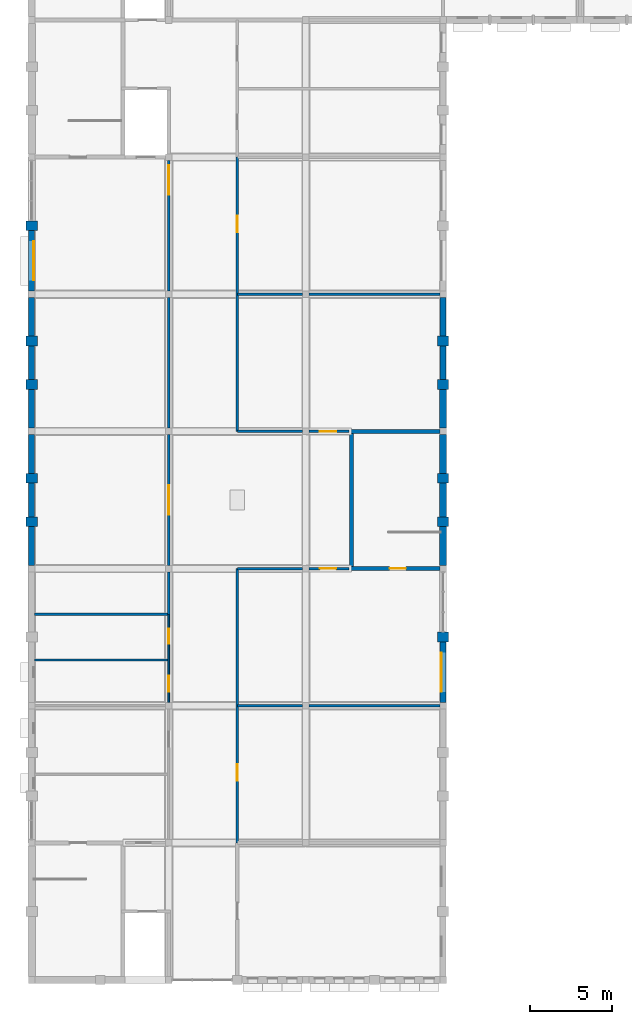
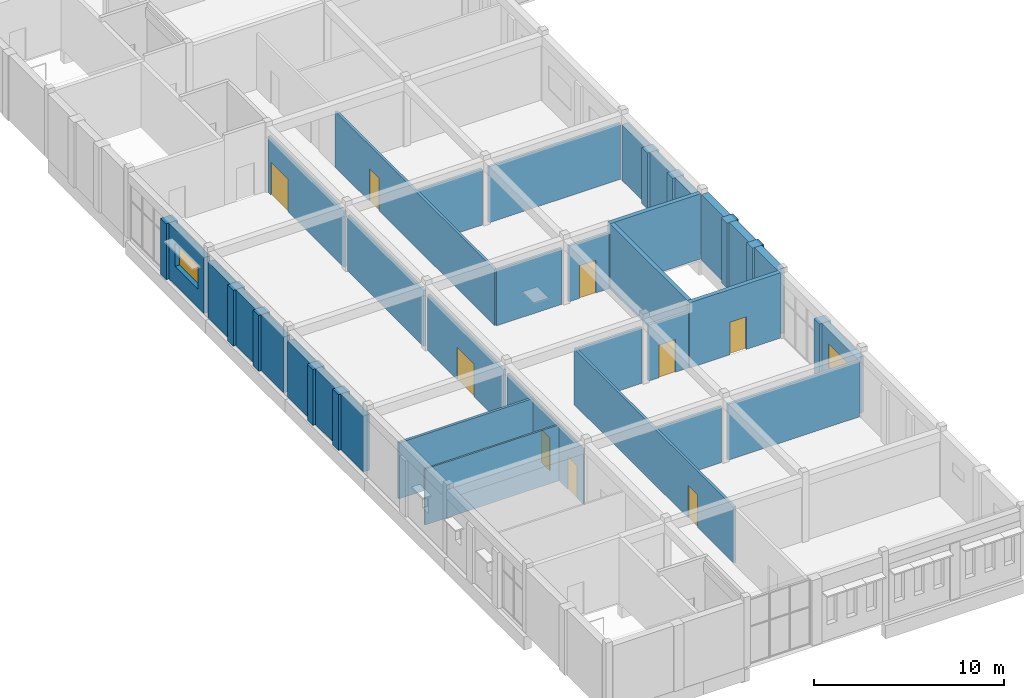
# One storey, part 11 of 15: 44 walls, 9 doors, 2 windows, 11 openings.
"""IFC4 building model written with IfcOpenShell, lengths in metres."""

from ifc_helpers import new_model, si_unit, direction, frame, frame_2d, origin, place, context, subcontext, project, spatial, rectangle, extrude, material, layer, layer_set, type_object, element, fill, save


model = new_model("IFC4")

# Units and contexts
model_context = context("Model", 3, precision=1e-05, world=origin(), true_north=direction((0.0, 1.0)))
body_context = subcontext(model_context, "Body", "Model", "MODEL_VIEW")
ifc_project = project(units=[si_unit("LENGTHUNIT", "METRE"), si_unit("AREAUNIT", "SQUARE_METRE"), si_unit("VOLUMEUNIT", "CUBIC_METRE"), si_unit("PLANEANGLEUNIT", "RADIAN"), si_unit("MASSUNIT", "GRAM", prefix="KILO")], contexts=[model_context])

# Site, building, storey
site_placement = place(None, origin())
site = spatial("IfcSite", under=ifc_project, at=site_placement, CompositionType="ELEMENT")
building_placement = place(site_placement, origin())
building = spatial("IfcBuilding", under=site, at=building_placement, Name="Fescue Hill Polytechnic", CompositionType="ELEMENT")
storey_placement = place(building_placement, frame((0.0, 0.0, 31.5)))
storey = spatial("IfcBuildingStorey", under=building, at=storey_placement, Name="L07", CompositionType="ELEMENT", Elevation=31.5)

# Wall, opening, door
ifc_material_1 = material(Name="Concrete 40 MPa", Category="concrete")
ifc_layer_1 = layer(ifc_material_1, 0.25)
ifc_layer_set_1 = layer_set([ifc_layer_1], Name="Concrete 40 MPa")
wall_type_1 = type_object("IfcWallType", Name="Core wall 250", PredefinedType="SHEAR", material=ifc_layer_set_1)
wall_1_placement = place(storey_placement, frame((19.47509765625, 75.60009765625, 0.0), z_axis=(0.0, 0.0, 1.0), x_axis=(1.0, 0.0, 0.0)))
wall_1 = element("IfcWall", 1, at=wall_1_placement, inside=storey, type_object=wall_type_1, Name="CW-L07-ST-V4-3-11", PredefinedType="SHEAR", context=body_context, shape_type="SweptSolid", body=[
    extrude(rectangle(XDim=5.52490234375, YDim=0.25, at=frame_2d((2.762451171875, 0.0))), origin(), (0.0, 0.0, 1.0), 4.199951171875),
])
opening_1_placement = place(wall_1_placement, frame((2.449951171875, 0.0, 0.0)))
opening_1 = element("IfcOpeningElement", 2, at=opening_1_placement, cuts=wall_1, Name="Opening D7025", PredefinedType="OPENING", context=body_context, shape_type="SweptSolid", body=[
    extrude(rectangle(XDim=1.0, YDim=2.10009765625, at=frame_2d((0.5, 1.050048828125))), frame((0.0, 0.135009765625, 0.0), z_axis=(0.0, -1.0, 0.0), x_axis=(1.0, 0.0, 0.0)), (0.0, 0.0, 1.0), 0.27001953125),
])
ifc_material_2 = material(Name="Steel fire door", Category="steel")
door_type_1 = type_object("IfcDoorType", Name="Door single swing 1000x2100 stair fire rated", OperationType="NOTDEFINED", PredefinedType="DOOR", material=ifc_material_2)
door_1_placement = place(opening_1_placement, origin())
door_1 = element("IfcDoor", 3, at=door_1_placement, inside=storey, type_object=door_type_1, Name="L07 ST-V4-3 stair door", OperationType="SINGLE_SWING_RIGHT", OverallHeight=2.10009765625, OverallWidth=1.0, PredefinedType="DOOR", context=body_context, shape_type="SweptSolid", body=[
    extrude(rectangle(XDim=1.0, YDim=2.10009765625, at=frame_2d((0.5, 1.050048828125))), frame((0.0, 0.02490234375, 0.0), z_axis=(0.0, -1.0, 0.0), x_axis=(1.0, 0.0, 0.0)), (0.0, 0.0, 1.0), 0.050048828125),
])
fill(opening_1, door_1)

# Walls
wall_2_placement = place(storey_placement, frame((19.47509765625, 84.0, 0.0), z_axis=(0.0, 0.0, 1.0), x_axis=(1.0, 0.0, 0.0)))
element("IfcWall", 4, at=wall_2_placement, inside=storey, type_object=wall_type_1, Name="CW-L07-ST-V4-3-21", PredefinedType="SHEAR", context=body_context, shape_type="SweptSolid", body=[
    extrude(rectangle(XDim=5.52490234375, YDim=0.25, at=frame_2d((2.762451171875, 0.0))), origin(), (0.0, 0.0, 1.0), 4.199951171875),
])
wall_3_placement = place(storey_placement, frame((19.60009765625, 75.72509765625, 0.0), z_axis=(0.0, 0.0, 1.0), x_axis=(0.0, 1.0, 0.0)))
element("IfcWall", 5, at=wall_3_placement, inside=storey, type_object=wall_type_1, Name="CW-L07-ST-V4-3-31", PredefinedType="SHEAR", context=body_context, shape_type="SweptSolid", body=[
    extrude(rectangle(XDim=8.14990234375, YDim=0.25, at=frame_2d((4.074951171875, 0.0))), origin(), (0.0, 0.0, 1.0), 4.199951171875),
])
ifc_layer_2 = layer(ifc_material_1, 0.449951171875)
ifc_layer_set_2 = layer_set([ifc_layer_2], Name="Concrete 40 MPa")
wall_type_2 = type_object("IfcWallType", Name="Exterior wall board-marked concrete 450", PredefinedType="SOLIDWALL", material=ifc_layer_set_2)
wall_4_placement = place(storey_placement, frame((25.199951171875, 84.199951171875, 0.0), z_axis=(0.0, 0.0, 1.0), x_axis=(0.0, 1.0, 0.0)))
element("IfcWall", 6, at=wall_4_placement, inside=storey, type_object=wall_type_2, Name="EW-L07-V4-11", PredefinedType="SOLIDWALL", context=body_context, shape_type="SweptSolid", body=[
    extrude(rectangle(XDim=2.36669921875, YDim=0.449951171875, at=frame_2d((1.183349609375, 0.0))), origin(), (0.0, 0.0, 1.0), 3.60009765625),
])
ifc_layer_3 = layer(ifc_material_1, 0.449951171875)
ifc_layer_set_3 = layer_set([ifc_layer_3], Name="Concrete 40 MPa")
wall_type_3 = type_object("IfcWallType", Name="Exterior wall board-marked concrete 450 load-bearing", PredefinedType="SOLIDWALL", material=ifc_layer_set_3)
wall_5_placement = place(storey_placement, frame((25.199951171875, 75.800048828125, 0.0), z_axis=(0.0, 0.0, 1.0), x_axis=(0.0, 1.0, 0.0)))
element("IfcWall", 7, at=wall_5_placement, inside=storey, type_object=wall_type_3, Name="EW-L07-V4-8", PredefinedType="SOLIDWALL", context=body_context, shape_type="SweptSolid", body=[
    extrude(rectangle(XDim=2.36669921875, YDim=0.449951171875, at=frame_2d((1.183349609375, 0.0))), origin(), (0.0, 0.0, 1.0), 4.199951171875),
])
wall_6_placement = place(storey_placement, frame((25.199951171875, 78.7666015625, 0.0), z_axis=(0.0, 0.0, 1.0), x_axis=(0.0, 1.0, 0.0)))
element("IfcWall", 8, at=wall_6_placement, inside=storey, type_object=wall_type_3, Name="EW-L07-V4-9", PredefinedType="SOLIDWALL", context=body_context, shape_type="SweptSolid", body=[
    extrude(rectangle(XDim=2.066650390625, YDim=0.449951171875, at=frame_2d((1.033203125, 0.0))), origin(), (0.0, 0.0, 1.0), 4.199951171875),
])
wall_7_placement = place(storey_placement, frame((25.199951171875, 81.433349609375, 0.0), z_axis=(0.0, 0.0, 1.0), x_axis=(0.0, 1.0, 0.0)))
element("IfcWall", 9, at=wall_7_placement, inside=storey, type_object=wall_type_3, Name="EW-L07-V4-10", PredefinedType="SOLIDWALL", context=body_context, shape_type="SweptSolid", body=[
    extrude(rectangle(XDim=2.36669921875, YDim=0.449951171875, at=frame_2d((1.183349609375, 0.0))), origin(), (0.0, 0.0, 1.0), 4.199951171875),
])

# Wall, opening, window
ifc_material_3 = material(Name="Terracotta rainscreen on concrete block", Category="masonry")
ifc_layer_4 = layer(ifc_material_3, 0.3798828125)
ifc_layer_set_4 = layer_set([ifc_layer_4], Name="Terracotta rainscreen on concrete block")
wall_type_4 = type_object("IfcWallType", Name="Exterior wall rainscreen terracotta on blockwork 380", PredefinedType="SOLIDWALL", material=ifc_layer_set_4)
wall_8_placement = place(storey_placement, frame((25.199951171875, 67.39990234375, 0.0), z_axis=(0.0, 0.0, 1.0), x_axis=(0.0, 1.0, 0.0)))
wall_8 = element("IfcWall", 10, at=wall_8_placement, inside=storey, type_object=wall_type_4, Name="EW-L07-V4-6", PredefinedType="SOLIDWALL", context=body_context, shape_type="SweptSolid", body=[
    extrude(rectangle(XDim=3.7001953125, YDim=0.3798828125, at=frame_2d((1.85009765625, 0.0))), origin(), (0.0, 0.0, 1.0), 3.60009765625),
])
opening_2_placement = place(wall_8_placement, frame((0.64990234375, 0.0, 1.199951171875)))
opening_2 = element("IfcOpeningElement", 11, at=opening_2_placement, cuts=wall_8, Name="Opening W3", PredefinedType="OPENING", context=body_context, shape_type="SweptSolid", body=[
    extrude(rectangle(XDim=2.39990234375, YDim=1.5, at=frame_2d((1.199951171875, 0.75))), frame((0.0, 0.199951171875, 0.0), z_axis=(0.0, -1.0, 0.0), x_axis=(1.0, 0.0, 0.0)), (0.0, 0.0, 1.0), 0.39990234375),
])
ifc_material_4 = material(Name="Powder-coated aluminium and glass", Category="aluminium")
window_type = type_object("IfcWindowType", Name="Window laboratory strip 2400x1500", PartitioningType="TRIPLE_PANEL_VERTICAL", PredefinedType="WINDOW", material=ifc_material_4)
window_1_placement = place(opening_2_placement, origin())
window_1 = element("IfcWindow", 12, at=window_1_placement, inside=storey, type_object=window_type, Name="WN-L07-V4-3", OverallHeight=1.5, OverallWidth=2.39990234375, PartitioningType="SINGLE_PANEL", PredefinedType="WINDOW", context=body_context, shape_type="SweptSolid", body=[
    extrude(rectangle(XDim=2.39990234375, YDim=1.5, at=frame_2d((1.199951171875, 0.75))), frame((0.0, 0.150146484375, 0.0), z_axis=(0.0, -1.0, 0.0), x_axis=(1.0, 0.0, 0.0)), (0.0, 0.0, 1.0), 0.06005859375),
])
fill(opening_2, window_1)

# Walls
wall_9_placement = place(storey_placement, frame((25.199951171875, 87.166748046875, 0.0), z_axis=(0.0, 0.0, 1.0), x_axis=(0.0, 1.0, 0.0)))
element("IfcWall", 13, at=wall_9_placement, inside=storey, type_object=wall_type_4, Name="EW-L07-V4-12", PredefinedType="SOLIDWALL", context=body_context, shape_type="SweptSolid", body=[
    extrude(rectangle(XDim=2.066650390625, YDim=0.3798828125, at=frame_2d((1.033203125, 0.0))), origin(), (0.0, 0.0, 1.0), 3.60009765625),
])
wall_10_placement = place(storey_placement, frame((25.199951171875, 89.833251953125, 0.0), z_axis=(0.0, 0.0, 1.0), x_axis=(0.0, 1.0, 0.0)))
element("IfcWall", 14, at=wall_10_placement, inside=storey, type_object=wall_type_4, Name="EW-L07-V4-13", PredefinedType="SOLIDWALL", context=body_context, shape_type="SweptSolid", body=[
    extrude(rectangle(XDim=2.36669921875, YDim=0.3798828125, at=frame_2d((1.183349609375, 0.0))), origin(), (0.0, 0.0, 1.0), 3.60009765625),
])

# Wall, opening, window
wall_11_placement = place(storey_placement, frame((0.0, 96.300048828125, 0.0), z_axis=(0.0, 0.0, 1.0), x_axis=(0.0, -1.0, 0.0)))
wall_11 = element("IfcWall", 15, at=wall_11_placement, inside=storey, type_object=wall_type_4, Name="EW-L07-V4-23", PredefinedType="SOLIDWALL", context=body_context, shape_type="SweptSolid", body=[
    extrude(rectangle(XDim=3.699951171875, YDim=0.3798828125, at=frame_2d((1.85009765625, 0.0))), origin(), (0.0, 0.0, 1.0), 3.60009765625),
])
opening_3_placement = place(wall_11_placement, frame((0.64990234375, 0.0, 1.199951171875)))
opening_3 = element("IfcOpeningElement", 16, at=opening_3_placement, cuts=wall_11, Name="Opening W3", PredefinedType="OPENING", context=body_context, shape_type="SweptSolid", body=[
    extrude(rectangle(XDim=2.39990234375, YDim=1.5, at=frame_2d((1.199951171875, 0.75))), frame((0.0, 0.199951171875, 0.0), z_axis=(0.0, -1.0, 0.0), x_axis=(1.0, 0.0, 0.0)), (0.0, 0.0, 1.0), 0.39990234375),
])
window_2_placement = place(opening_3_placement, origin())
window_2 = element("IfcWindow", 17, at=window_2_placement, inside=storey, type_object=window_type, Name="WN-L07-V4-8", OverallHeight=1.5, OverallWidth=2.39990234375, PartitioningType="SINGLE_PANEL", PredefinedType="WINDOW", context=body_context, shape_type="SweptSolid", body=[
    extrude(rectangle(XDim=2.39990234375, YDim=1.5, at=frame_2d((1.199951171875, 0.75))), frame((0.0, 0.150146484375, 0.0), z_axis=(0.0, -1.0, 0.0), x_axis=(1.0, 0.0, 0.0)), (0.0, 0.0, 1.0), 0.06005859375),
])
fill(opening_3, window_2)

# Walls
wall_12_placement = place(storey_placement, frame((0.0, 92.199951171875, 0.0), z_axis=(0.0, 0.0, 1.0), x_axis=(0.0, -1.0, 0.0)))
element("IfcWall", 18, at=wall_12_placement, inside=storey, type_object=wall_type_4, Name="EW-L07-V4-24", PredefinedType="SOLIDWALL", context=body_context, shape_type="SweptSolid", body=[
    extrude(rectangle(XDim=2.36669921875, YDim=0.3798828125, at=frame_2d((1.183349609375, 0.0))), origin(), (0.0, 0.0, 1.0), 3.60009765625),
])
wall_13_placement = place(storey_placement, frame((0.0, 89.2333984375, 0.0), z_axis=(0.0, 0.0, 1.0), x_axis=(0.0, -1.0, 0.0)))
element("IfcWall", 19, at=wall_13_placement, inside=storey, type_object=wall_type_4, Name="EW-L07-V4-25", PredefinedType="SOLIDWALL", context=body_context, shape_type="SweptSolid", body=[
    extrude(rectangle(XDim=2.066650390625, YDim=0.3798828125, at=frame_2d((1.033203125, 0.0))), origin(), (0.0, 0.0, 1.0), 3.60009765625),
])
for number, where, z_axis, x_axis, name in (
    (20, (0.0, 86.566650390625, 0.0), (0.0, 0.0, 1.0), (0.0, -1.0, 0.0), "EW-L07-V4-26"),
    (21, (0.0, 83.800048828125, 0.0), (0.0, 0.0, 1.0), (0.0, -1.0, 0.0), "EW-L07-V4-27"),
):
    element("IfcWall", number, at=place(storey_placement, frame(where, z_axis=z_axis, x_axis=x_axis)), inside=storey, type_object=wall_type_4, Name=name, PredefinedType="SOLIDWALL", context=body_context, shape_type="SweptSolid", body=[
        extrude(rectangle(XDim=2.36669921875, YDim=0.3798828125, at=frame_2d((1.183349609375, 0.0))), origin(), (0.0, 0.0, 1.0), 3.60009765625),
    ])
wall_14_placement = place(storey_placement, frame((0.0, 80.833251953125, 0.0), z_axis=(0.0, 0.0, 1.0), x_axis=(0.0, -1.0, 0.0)))
element("IfcWall", 22, at=wall_14_placement, inside=storey, type_object=wall_type_4, Name="EW-L07-V4-28", PredefinedType="SOLIDWALL", context=body_context, shape_type="SweptSolid", body=[
    extrude(rectangle(XDim=2.066650390625, YDim=0.3798828125, at=frame_2d((1.033203125, 0.0))), origin(), (0.0, 0.0, 1.0), 3.60009765625),
])
wall_15_placement = place(storey_placement, frame((0.0, 78.166748046875, 0.0), z_axis=(0.0, 0.0, 1.0), x_axis=(0.0, -1.0, 0.0)))
element("IfcWall", 23, at=wall_15_placement, inside=storey, type_object=wall_type_4, Name="EW-L07-V4-29", PredefinedType="SOLIDWALL", context=body_context, shape_type="SweptSolid", body=[
    extrude(rectangle(XDim=2.36669921875, YDim=0.3798828125, at=frame_2d((1.183349609375, 0.0))), origin(), (0.0, 0.0, 1.0), 3.60009765625),
])
ifc_layer_5 = layer(ifc_material_1, 0.699951171875)
ifc_layer_set_5 = layer_set([ifc_layer_5], Name="Concrete 40 MPa")
wall_type_5 = type_object("IfcWallType", Name="Fin wall board-marked 600x700", PredefinedType="SOLIDWALL", material=ifc_layer_set_5)
wall_16_placement = place(storey_placement, frame((25.199951171875, 71.10009765625, 0.0), z_axis=(0.0, 0.0, 1.0), x_axis=(0.0, 1.0, 0.0)))
element("IfcWall", 24, at=wall_16_placement, inside=storey, type_object=wall_type_5, Name="PR-L07-V4-4", PredefinedType="SOLIDWALL", context=body_context, shape_type="SweptSolid", body=[
    extrude(rectangle(XDim=0.599853515625, YDim=0.699951171875, at=frame_2d((0.2998046875, 0.0))), origin(), (0.0, 0.0, 1.0), 3.60009765625),
])
wall_17_placement = place(storey_placement, frame((25.199951171875, 78.166748046875, 0.0), z_axis=(0.0, 0.0, 1.0), x_axis=(0.0, 1.0, 0.0)))
element("IfcWall", 25, at=wall_17_placement, inside=storey, type_object=wall_type_5, Name="PR-L07-V4-5", PredefinedType="SOLIDWALL", context=body_context, shape_type="SweptSolid", body=[
    extrude(rectangle(XDim=0.599853515625, YDim=0.699951171875, at=frame_2d((0.2998046875, 0.0))), origin(), (0.0, 0.0, 1.0), 4.199951171875),
])
wall_18_placement = place(storey_placement, frame((25.199951171875, 80.833251953125, 0.0), z_axis=(0.0, 0.0, 1.0), x_axis=(0.0, 1.0, 0.0)))
element("IfcWall", 26, at=wall_18_placement, inside=storey, type_object=wall_type_5, Name="PR-L07-V4-6", PredefinedType="SOLIDWALL", context=body_context, shape_type="SweptSolid", body=[
    extrude(rectangle(XDim=0.60009765625, YDim=0.699951171875, at=frame_2d((0.300048828125, 0.0))), origin(), (0.0, 0.0, 1.0), 4.199951171875),
])
wall_19_placement = place(storey_placement, frame((25.199951171875, 86.566650390625, 0.0), z_axis=(0.0, 0.0, 1.0), x_axis=(0.0, 1.0, 0.0)))
element("IfcWall", 27, at=wall_19_placement, inside=storey, type_object=wall_type_5, Name="PR-L07-V4-7", PredefinedType="SOLIDWALL", context=body_context, shape_type="SweptSolid", body=[
    extrude(rectangle(XDim=0.60009765625, YDim=0.699951171875, at=frame_2d((0.300048828125, 0.0))), origin(), (0.0, 0.0, 1.0), 3.60009765625),
])
for number, where, z_axis, x_axis, name in (
    (28, (25.199951171875, 89.2333984375, 0.0), (0.0, 0.0, 1.0), (0.0, 1.0, 0.0), "PR-L07-V4-8"),
    (29, (0.0, 96.89990234375, 0.0), (0.0, 0.0, 1.0), (0.0, -1.0, 0.0), "PR-L07-V4-14"),
    (30, (0.0, 89.833251953125, 0.0), (0.0, 0.0, 1.0), (0.0, -1.0, 0.0), "PR-L07-V4-15"),
):
    element("IfcWall", number, at=place(storey_placement, frame(where, z_axis=z_axis, x_axis=x_axis)), inside=storey, type_object=wall_type_5, Name=name, PredefinedType="SOLIDWALL", context=body_context, shape_type="SweptSolid", body=[
        extrude(rectangle(XDim=0.599853515625, YDim=0.699951171875, at=frame_2d((0.2998046875, 0.0))), origin(), (0.0, 0.0, 1.0), 3.60009765625),
    ])
for number, where, z_axis, x_axis, name in (
    (31, (0.0, 87.166748046875, 0.0), (0.0, 0.0, 1.0), (0.0, -1.0, 0.0), "PR-L07-V4-16"),
    (32, (0.0, 81.433349609375, 0.0), (0.0, 0.0, 1.0), (0.0, -1.0, 0.0), "PR-L07-V4-17"),
):
    element("IfcWall", number, at=place(storey_placement, frame(where, z_axis=z_axis, x_axis=x_axis)), inside=storey, type_object=wall_type_5, Name=name, PredefinedType="SOLIDWALL", context=body_context, shape_type="SweptSolid", body=[
        extrude(rectangle(XDim=0.60009765625, YDim=0.699951171875, at=frame_2d((0.300048828125, 0.0))), origin(), (0.0, 0.0, 1.0), 3.60009765625),
    ])
wall_20_placement = place(storey_placement, frame((0.0, 78.7666015625, 0.0), z_axis=(0.0, 0.0, 1.0), x_axis=(0.0, -1.0, 0.0)))
element("IfcWall", 33, at=wall_20_placement, inside=storey, type_object=wall_type_5, Name="PR-L07-V4-18", PredefinedType="SOLIDWALL", context=body_context, shape_type="SweptSolid", body=[
    extrude(rectangle(XDim=0.599853515625, YDim=0.699951171875, at=frame_2d((0.2998046875, 0.0))), origin(), (0.0, 0.0, 1.0), 3.60009765625),
])
ifc_material_5 = material(Name="Concrete masonry block 15 MPa", Category="masonry")
ifc_layer_6 = layer(ifc_material_5, 0.14990234375)
ifc_layer_set_6 = layer_set([ifc_layer_6], Name="Concrete masonry block 15 MPa")
wall_type_6 = type_object("IfcWallType", Name="Laboratory wall 150 block EI 60", PredefinedType="PARTITIONING", material=ifc_layer_set_6)
wall_21_placement = place(storey_placement, frame((12.60009765625, 67.199951171875, 0.0), z_axis=(0.0, 0.0, 1.0), x_axis=(1.0, 0.0, 0.0)))
element("IfcWall", 34, at=wall_21_placement, inside=storey, type_object=wall_type_6, Name="IW-L07-005", PredefinedType="PARTITIONING", context=body_context, shape_type="SweptSolid", body=[
    extrude(rectangle(XDim=4.0, YDim=0.14990234375, at=frame_2d((2.0, 0.0))), origin(), (0.0, 0.0, 1.0), 3.60009765625),
])
wall_22_placement = place(storey_placement, frame((17.0, 67.199951171875, 0.0), z_axis=(0.0, 0.0, 1.0), x_axis=(1.0, 0.0, 0.0)))
element("IfcWall", 35, at=wall_22_placement, inside=storey, type_object=wall_type_6, Name="IW-L07-006", PredefinedType="PARTITIONING", context=body_context, shape_type="SweptSolid", body=[
    extrude(rectangle(XDim=8.0, YDim=0.14990234375, at=frame_2d((4.0, 0.0))), origin(), (0.0, 0.0, 1.0), 3.60009765625),
])
wall_23_placement = place(storey_placement, frame((0.18994140625, 72.800048828125, 0.0), z_axis=(0.0, 0.0, 1.0), x_axis=(1.0, 0.0, 0.0)))
element("IfcWall", 36, at=wall_23_placement, inside=storey, type_object=wall_type_6, Name="IW-L07-009", PredefinedType="PARTITIONING", context=body_context, shape_type="SweptSolid", body=[
    extrude(rectangle(XDim=8.2099609375, YDim=0.14990234375, at=frame_2d((4.10498046875, 0.0))), origin(), (0.0, 0.0, 1.0), 3.60009765625),
])
wall_24_placement = place(storey_placement, frame((12.60009765625, 92.39990234375, 0.0), z_axis=(0.0, 0.0, 1.0), x_axis=(1.0, 0.0, 0.0)))
element("IfcWall", 37, at=wall_24_placement, inside=storey, type_object=wall_type_6, Name="IW-L07-014", PredefinedType="PARTITIONING", context=body_context, shape_type="SweptSolid", body=[
    extrude(rectangle(XDim=4.0, YDim=0.14990234375, at=frame_2d((2.0, 0.0))), origin(), (0.0, 0.0, 1.0), 3.60009765625),
])
wall_25_placement = place(storey_placement, frame((17.0, 92.39990234375, 0.0), z_axis=(0.0, 0.0, 1.0), x_axis=(1.0, 0.0, 0.0)))
element("IfcWall", 38, at=wall_25_placement, inside=storey, type_object=wall_type_6, Name="IW-L07-015", PredefinedType="PARTITIONING", context=body_context, shape_type="SweptSolid", body=[
    extrude(rectangle(XDim=8.0, YDim=0.14990234375, at=frame_2d((4.0, 0.0))), origin(), (0.0, 0.0, 1.0), 3.60009765625),
])
wall_26_placement = place(storey_placement, frame((8.39990234375, 72.800048828125, 0.0), z_axis=(0.0, 0.0, 1.0), x_axis=(0.0, 1.0, 0.0)))
element("IfcWall", 39, at=wall_26_placement, inside=storey, type_object=wall_type_6, Name="IW-L07-030", PredefinedType="PARTITIONING", context=body_context, shape_type="SweptSolid", body=[
    extrude(rectangle(XDim=2.599853515625, YDim=0.14990234375, at=frame_2d((1.2998046875, 0.0))), origin(), (0.0, 0.0, 1.0), 3.60009765625),
])

# Wall, opening, door
wall_27_placement = place(storey_placement, frame((8.39990234375, 75.800048828125, 0.0), z_axis=(0.0, 0.0, 1.0), x_axis=(0.0, 1.0, 0.0)))
wall_27 = element("IfcWall", 40, at=wall_27_placement, inside=storey, type_object=wall_type_6, Name="IW-L07-031", PredefinedType="PARTITIONING", context=body_context, shape_type="SweptSolid", body=[
    extrude(rectangle(XDim=8.0, YDim=0.14990234375, at=frame_2d((4.0, 0.0))), origin(), (0.0, 0.0, 1.0), 3.60009765625),
])
opening_4_placement = place(wall_27_placement, frame((3.10009765625, 0.0, 0.0)))
opening_4 = element("IfcOpeningElement", 41, at=opening_4_placement, cuts=wall_27, Name="Opening D7006", PredefinedType="OPENING", context=body_context, shape_type="SweptSolid", body=[
    extrude(rectangle(XDim=1.800048828125, YDim=2.10009765625, at=frame_2d((0.89990234375, 1.050048828125))), frame((0.0, 0.0849609375, 0.0), z_axis=(0.0, -1.0, 0.0), x_axis=(1.0, 0.0, 0.0)), (0.0, 0.0, 1.0), 0.169921875),
])
ifc_material_6 = material(Name="Steel", Category="steel")
door_type_2 = type_object("IfcDoorType", Name="Door double swing 1800x2100 FD60", OperationType="DOUBLE_DOOR_SINGLE_SWING", PredefinedType="DOOR", material=ifc_material_6)
door_2_placement = place(opening_4_placement, origin())
door_2 = element("IfcDoor", 42, at=door_2_placement, inside=storey, type_object=door_type_2, Name="Door D7006", OperationType="DOUBLE_DOOR_SINGLE_SWING", OverallHeight=2.10009765625, OverallWidth=1.800048828125, PredefinedType="DOOR", context=body_context, shape_type="SweptSolid", body=[
    extrude(rectangle(XDim=1.800048828125, YDim=2.10009765625, at=frame_2d((0.89990234375, 1.050048828125))), frame((0.0, 0.02490234375, 0.0), z_axis=(0.0, -1.0, 0.0), x_axis=(1.0, 0.0, 0.0)), (0.0, 0.0, 1.0), 0.050048828125),
])
fill(opening_4, door_2)

# Wall
wall_28_placement = place(storey_placement, frame((8.39990234375, 84.199951171875, 0.0), z_axis=(0.0, 0.0, 1.0), x_axis=(0.0, 1.0, 0.0)))
element("IfcWall", 43, at=wall_28_placement, inside=storey, type_object=wall_type_6, Name="IW-L07-032", PredefinedType="PARTITIONING", context=body_context, shape_type="SweptSolid", body=[
    extrude(rectangle(XDim=8.0, YDim=0.14990234375, at=frame_2d((4.0, 0.0))), origin(), (0.0, 0.0, 1.0), 3.60009765625),
])

# Wall, opening, door
wall_29_placement = place(storey_placement, frame((8.39990234375, 92.60009765625, 0.0), z_axis=(0.0, 0.0, 1.0), x_axis=(0.0, 1.0, 0.0)))
wall_29 = element("IfcWall", 44, at=wall_29_placement, inside=storey, type_object=wall_type_6, Name="IW-L07-033", PredefinedType="PARTITIONING", context=body_context, shape_type="SweptSolid", body=[
    extrude(rectangle(XDim=8.0, YDim=0.14990234375, at=frame_2d((4.0, 0.0))), origin(), (0.0, 0.0, 1.0), 3.60009765625),
])
opening_5_placement = place(wall_29_placement, frame((5.89990234375, 0.0, 0.0)))
opening_5 = element("IfcOpeningElement", 45, at=opening_5_placement, cuts=wall_29, Name="Opening D7007", PredefinedType="OPENING", context=body_context, shape_type="SweptSolid", body=[
    extrude(rectangle(XDim=1.800048828125, YDim=2.10009765625, at=frame_2d((0.89990234375, 1.050048828125))), frame((0.0, 0.0849609375, 0.0), z_axis=(0.0, -1.0, 0.0), x_axis=(1.0, 0.0, 0.0)), (0.0, 0.0, 1.0), 0.169921875),
])
door_3_placement = place(opening_5_placement, origin())
door_3 = element("IfcDoor", 46, at=door_3_placement, inside=storey, type_object=door_type_2, Name="Door D7007", OperationType="DOUBLE_DOOR_SINGLE_SWING", OverallHeight=2.10009765625, OverallWidth=1.800048828125, PredefinedType="DOOR", context=body_context, shape_type="SweptSolid", body=[
    extrude(rectangle(XDim=1.800048828125, YDim=2.10009765625, at=frame_2d((0.89990234375, 1.050048828125))), frame((0.0, 0.02490234375, 0.0), z_axis=(0.0, -1.0, 0.0), x_axis=(1.0, 0.0, 0.0)), (0.0, 0.0, 1.0), 0.050048828125),
])
fill(opening_5, door_3)

wall_30_placement = place(storey_placement, frame((12.60009765625, 58.800048828125, 0.0), z_axis=(0.0, 0.0, 1.0), x_axis=(0.0, 1.0, 0.0)))
wall_30 = element("IfcWall", 47, at=wall_30_placement, inside=storey, type_object=wall_type_6, Name="IW-L07-039", PredefinedType="PARTITIONING", context=body_context, shape_type="SweptSolid", body=[
    extrude(rectangle(XDim=16.800048828125, YDim=0.14990234375, at=frame_2d((8.39990234375, 0.0))), origin(), (0.0, 0.0, 1.0), 3.60009765625),
])
opening_6_placement = place(wall_30_placement, frame((3.800048828125, 0.0, 0.0)))
opening_6 = element("IfcOpeningElement", 48, at=opening_6_placement, cuts=wall_30, Name="Opening D7009", PredefinedType="OPENING", context=body_context, shape_type="SweptSolid", body=[
    extrude(rectangle(XDim=1.0, YDim=2.10009765625, at=frame_2d((0.5, 1.050048828125))), frame((0.0, 0.0849609375, 0.0), z_axis=(0.0, -1.0, 0.0), x_axis=(1.0, 0.0, 0.0)), (0.0, 0.0, 1.0), 0.169921875),
])
door_type_3 = type_object("IfcDoorType", Name="Door single swing 1000x2100 FD60", OperationType="SINGLE_SWING_LEFT", PredefinedType="DOOR", material=ifc_material_6)
door_4_placement = place(opening_6_placement, origin())
door_4 = element("IfcDoor", 49, at=door_4_placement, inside=storey, type_object=door_type_3, Name="Door D7009", OperationType="SINGLE_SWING_LEFT", OverallHeight=2.10009765625, OverallWidth=1.0, PredefinedType="DOOR", context=body_context, shape_type="SweptSolid", body=[
    extrude(rectangle(XDim=1.0, YDim=2.10009765625, at=frame_2d((0.5, 1.050048828125))), frame((0.0, 0.02490234375, 0.0), z_axis=(0.0, -1.0, 0.0), x_axis=(1.0, 0.0, 0.0)), (0.0, 0.0, 1.0), 0.050048828125),
])
fill(opening_6, door_4)

wall_31_placement = place(storey_placement, frame((12.60009765625, 84.0, 0.0), z_axis=(0.0, 0.0, 1.0), x_axis=(0.0, 1.0, 0.0)))
wall_31 = element("IfcWall", 50, at=wall_31_placement, inside=storey, type_object=wall_type_6, Name="IW-L07-040", PredefinedType="PARTITIONING", context=body_context, shape_type="SweptSolid", body=[
    extrude(rectangle(XDim=16.800048828125, YDim=0.14990234375, at=frame_2d((8.39990234375, 0.0))), origin(), (0.0, 0.0, 1.0), 3.60009765625),
])
opening_7_placement = place(wall_31_placement, frame((12.199951171875, 0.0, 0.0)))
opening_7 = element("IfcOpeningElement", 51, at=opening_7_placement, cuts=wall_31, Name="Opening D7012", PredefinedType="OPENING", context=body_context, shape_type="SweptSolid", body=[
    extrude(rectangle(XDim=1.0, YDim=2.10009765625, at=frame_2d((0.5, 1.050048828125))), frame((0.0, 0.0849609375, 0.0), z_axis=(0.0, -1.0, 0.0), x_axis=(1.0, 0.0, 0.0)), (0.0, 0.0, 1.0), 0.169921875),
])
door_5_placement = place(opening_7_placement, origin())
door_5 = element("IfcDoor", 52, at=door_5_placement, inside=storey, type_object=door_type_3, Name="Door D7012", OperationType="SINGLE_SWING_RIGHT", OverallHeight=2.10009765625, OverallWidth=1.0, PredefinedType="DOOR", context=body_context, shape_type="SweptSolid", body=[
    extrude(rectangle(XDim=1.0, YDim=2.10009765625, at=frame_2d((0.5, 1.050048828125))), frame((0.0, 0.02490234375, 0.0), z_axis=(0.0, -1.0, 0.0), x_axis=(1.0, 0.0, 0.0)), (0.0, 0.0, 1.0), 0.050048828125),
])
fill(opening_7, door_5)

# Wall
ifc_material_7 = material(Name="Gypsum board partition")
ifc_layer_7 = layer(ifc_material_7, 0.14990234375)
ifc_layer_set_7 = layer_set([ifc_layer_7], Name="Gypsum board partition")
wall_type_7 = type_object("IfcWallType", Name="Lobby wall 150 EI 60", PredefinedType="PARTITIONING", material=ifc_layer_set_7)
wall_32_placement = place(storey_placement, frame((12.60009765625, 75.60009765625, 0.0), z_axis=(0.0, 0.0, 1.0), x_axis=(1.0, 0.0, 0.0)))
element("IfcWall", 53, at=wall_32_placement, inside=storey, type_object=wall_type_7, Name="IW-L07-010", PredefinedType="PARTITIONING", context=body_context, shape_type="SweptSolid", body=[
    extrude(rectangle(XDim=4.0, YDim=0.14990234375, at=frame_2d((2.0, 0.0))), origin(), (0.0, 0.0, 1.0), 3.60009765625),
])

# Wall, opening, door
wall_33_placement = place(storey_placement, frame((17.0, 75.60009765625, 0.0), z_axis=(0.0, 0.0, 1.0), x_axis=(1.0, 0.0, 0.0)))
wall_33 = element("IfcWall", 54, at=wall_33_placement, inside=storey, type_object=wall_type_7, Name="IW-L07-011", PredefinedType="PARTITIONING", context=body_context, shape_type="SweptSolid", body=[
    extrude(rectangle(XDim=2.449951171875, YDim=0.14990234375, at=frame_2d((1.22509765625, 0.0))), origin(), (0.0, 0.0, 1.0), 3.60009765625),
])
opening_8_placement = place(wall_33_placement, frame((0.64990234375, 0.0, 0.0)))
opening_8 = element("IfcOpeningElement", 55, at=opening_8_placement, cuts=wall_33, Name="Opening D7010", PredefinedType="OPENING", context=body_context, shape_type="SweptSolid", body=[
    extrude(rectangle(XDim=1.0, YDim=2.10009765625, at=frame_2d((0.5, 1.050048828125))), frame((0.0, 0.0849609375, 0.0), z_axis=(0.0, -1.0, 0.0), x_axis=(1.0, 0.0, 0.0)), (0.0, 0.0, 1.0), 0.169921875),
])
door_6_placement = place(opening_8_placement, origin())
door_6 = element("IfcDoor", 56, at=door_6_placement, inside=storey, type_object=door_type_3, Name="Door D7010", OperationType="SINGLE_SWING_LEFT", OverallHeight=2.10009765625, OverallWidth=1.0, PredefinedType="DOOR", context=body_context, shape_type="SweptSolid", body=[
    extrude(rectangle(XDim=1.0, YDim=2.10009765625, at=frame_2d((0.5, 1.050048828125))), frame((0.0, 0.02490234375, 0.0), z_axis=(0.0, -1.0, 0.0), x_axis=(1.0, 0.0, 0.0)), (0.0, 0.0, 1.0), 0.050048828125),
])
fill(opening_8, door_6)

# Wall
wall_34_placement = place(storey_placement, frame((12.60009765625, 84.0, 0.0), z_axis=(0.0, 0.0, 1.0), x_axis=(1.0, 0.0, 0.0)))
element("IfcWall", 57, at=wall_34_placement, inside=storey, type_object=wall_type_7, Name="IW-L07-012", PredefinedType="PARTITIONING", context=body_context, shape_type="SweptSolid", body=[
    extrude(rectangle(XDim=4.0, YDim=0.14990234375, at=frame_2d((2.0, 0.0))), origin(), (0.0, 0.0, 1.0), 3.60009765625),
])

# Wall, opening, door
wall_35_placement = place(storey_placement, frame((17.0, 84.0, 0.0), z_axis=(0.0, 0.0, 1.0), x_axis=(1.0, 0.0, 0.0)))
wall_35 = element("IfcWall", 58, at=wall_35_placement, inside=storey, type_object=wall_type_7, Name="IW-L07-013", PredefinedType="PARTITIONING", context=body_context, shape_type="SweptSolid", body=[
    extrude(rectangle(XDim=2.449951171875, YDim=0.14990234375, at=frame_2d((1.22509765625, 0.0))), origin(), (0.0, 0.0, 1.0), 3.60009765625),
])
opening_9_placement = place(wall_35_placement, frame((0.64990234375, 0.0, 0.0)))
opening_9 = element("IfcOpeningElement", 59, at=opening_9_placement, cuts=wall_35, Name="Opening D7011", PredefinedType="OPENING", context=body_context, shape_type="SweptSolid", body=[
    extrude(rectangle(XDim=1.0, YDim=2.10009765625, at=frame_2d((0.5, 1.050048828125))), frame((0.0, 0.0849609375, 0.0), z_axis=(0.0, -1.0, 0.0), x_axis=(1.0, 0.0, 0.0)), (0.0, 0.0, 1.0), 0.169921875),
])
door_7_placement = place(opening_9_placement, origin())
door_7 = element("IfcDoor", 60, at=door_7_placement, inside=storey, type_object=door_type_3, Name="Door D7011", OperationType="SINGLE_SWING_LEFT", OverallHeight=2.10009765625, OverallWidth=1.0, PredefinedType="DOOR", context=body_context, shape_type="SweptSolid", body=[
    extrude(rectangle(XDim=1.0, YDim=2.10009765625, at=frame_2d((0.5, 1.050048828125))), frame((0.0, 0.02490234375, 0.0), z_axis=(0.0, -1.0, 0.0), x_axis=(1.0, 0.0, 0.0)), (0.0, 0.0, 1.0), 0.050048828125),
])
fill(opening_9, door_7)

# Wall
ifc_layer_8 = layer(ifc_material_7, 0.10009765625)
ifc_layer_set_8 = layer_set([ifc_layer_8], Name="Gypsum board partition")
wall_type_8 = type_object("IfcWallType", Name="WC partition 100 moisture resistant", PredefinedType="PARTITIONING", material=ifc_layer_set_8)
wall_36_placement = place(storey_placement, frame((0.18994140625, 70.0, 0.0), z_axis=(0.0, 0.0, 1.0), x_axis=(1.0, 0.0, 0.0)))
element("IfcWall", 61, at=wall_36_placement, inside=storey, type_object=wall_type_8, Name="IW-L07-008", PredefinedType="PARTITIONING", context=body_context, shape_type="SweptSolid", body=[
    extrude(rectangle(XDim=8.2099609375, YDim=0.10009765625, at=frame_2d((4.10498046875, 0.0))), origin(), (0.0, 0.0, 1.0), 3.60009765625),
])

# Wall, openings, doors
wall_37_placement = place(storey_placement, frame((8.39990234375, 67.39990234375, 0.0), z_axis=(0.0, 0.0, 1.0), x_axis=(0.0, 1.0, 0.0)))
wall_37 = element("IfcWall", 62, at=wall_37_placement, inside=storey, type_object=wall_type_8, Name="IW-L07-037", PredefinedType="PARTITIONING", context=body_context, shape_type="SweptSolid", body=[
    extrude(rectangle(XDim=5.400146484375, YDim=0.10009765625, at=frame_2d((2.7001953125, 0.0))), origin(), (0.0, 0.0, 1.0), 3.60009765625),
])
opening_10_placement = place(wall_37_placement, frame((0.64990234375, 0.0, 0.0)))
opening_10 = element("IfcOpeningElement", 63, at=opening_10_placement, cuts=wall_37, Name="Opening D7004", PredefinedType="OPENING", context=body_context, shape_type="SweptSolid", body=[
    extrude(rectangle(XDim=1.0, YDim=2.10009765625, at=frame_2d((0.5, 1.050048828125))), frame((0.0, 0.06005859375, 0.0), z_axis=(0.0, -1.0, 0.0), x_axis=(1.0, 0.0, 0.0)), (0.0, 0.0, 1.0), 0.1201171875),
])
opening_11_placement = place(wall_37_placement, frame((3.60009765625, 0.0, 0.0)))
opening_11 = element("IfcOpeningElement", 64, at=opening_11_placement, cuts=wall_37, Name="Opening D7005", PredefinedType="OPENING", context=body_context, shape_type="SweptSolid", body=[
    extrude(rectangle(XDim=0.89990234375, YDim=2.10009765625, at=frame_2d((0.449951171875, 1.050048828125))), frame((0.0, 0.06005859375, 0.0), z_axis=(0.0, -1.0, 0.0), x_axis=(1.0, 0.0, 0.0)), (0.0, 0.0, 1.0), 0.1201171875),
])
ifc_material_8 = material(Name="Timber", Category="wood")
door_type_4 = type_object("IfcDoorType", Name="Door single swing 1000x2100 accessible WC", OperationType="SINGLE_SWING_LEFT", PredefinedType="DOOR", material=ifc_material_8)
door_8_placement = place(opening_10_placement, origin())
door_8 = element("IfcDoor", 65, at=door_8_placement, inside=storey, type_object=door_type_4, Name="Door D7004", OperationType="SINGLE_SWING_LEFT", OverallHeight=2.10009765625, OverallWidth=1.0, PredefinedType="DOOR", context=body_context, shape_type="SweptSolid", body=[
    extrude(rectangle(XDim=1.0, YDim=2.10009765625, at=frame_2d((0.5, 1.050048828125))), frame((0.0, 0.02490234375, 0.0), z_axis=(0.0, -1.0, 0.0), x_axis=(1.0, 0.0, 0.0)), (0.0, 0.0, 1.0), 0.050048828125),
])
fill(opening_10, door_8)
door_type_5 = type_object("IfcDoorType", Name="Door single swing 900x2100 store", OperationType="SINGLE_SWING_LEFT", PredefinedType="DOOR", material=ifc_material_8)
door_9_placement = place(opening_11_placement, origin())
door_9 = element("IfcDoor", 66, at=door_9_placement, inside=storey, type_object=door_type_5, Name="Door D7005", OperationType="SINGLE_SWING_RIGHT", OverallHeight=2.10009765625, OverallWidth=0.89990234375, PredefinedType="DOOR", context=body_context, shape_type="SweptSolid", body=[
    extrude(rectangle(XDim=0.89990234375, YDim=2.10009765625, at=frame_2d((0.449951171875, 1.050048828125))), frame((0.0, 0.02490234375, 0.0), z_axis=(0.0, -1.0, 0.0), x_axis=(1.0, 0.0, 0.0)), (0.0, 0.0, 1.0), 0.050048828125),
])
fill(opening_11, door_9)

save(model, "model.ifc")
